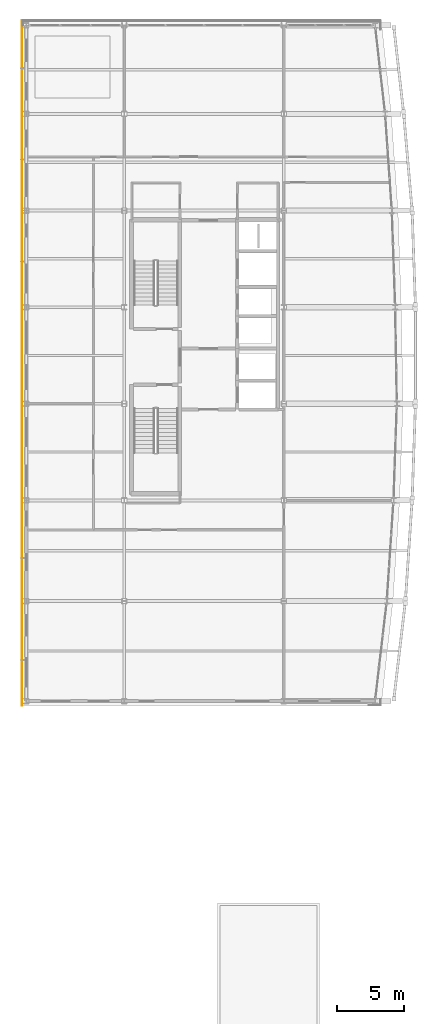
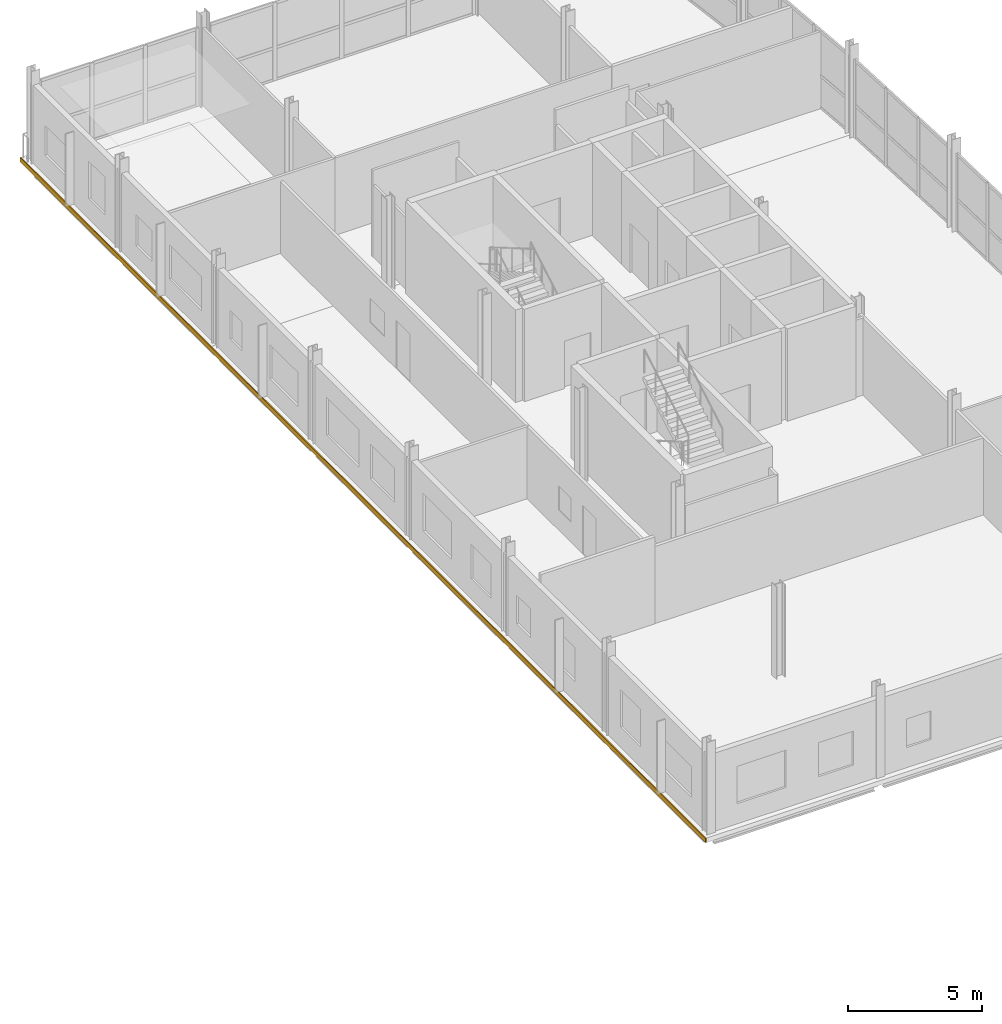
# One storey, part 21 of 23: 1 covering.
"""IFC4 building model written with IfcOpenShell, lengths in metres."""

from ifc_helpers import new_model, si_unit, direction, frame, origin, place, context, subcontext, project, spatial, polyline, outline, extrude, material, layer, layer_set, type_object, element, save


model = new_model("IFC4")

# Units and contexts
model_context = context("Model", 3, precision=1e-05, world=origin(), true_north=direction((0.0, 1.0)))
body_context = subcontext(model_context, "Body", "Model", "MODEL_VIEW")
ifc_project = project(units=[si_unit("LENGTHUNIT", "METRE"), si_unit("AREAUNIT", "SQUARE_METRE"), si_unit("VOLUMEUNIT", "CUBIC_METRE"), si_unit("PLANEANGLEUNIT", "RADIAN"), si_unit("MASSUNIT", "GRAM", prefix="KILO")], contexts=[model_context])

# Site, building, storey
site_placement = place(None, origin())
site = spatial("IfcSite", under=ifc_project, at=site_placement, CompositionType="ELEMENT")
building_placement = place(site_placement, origin())
building = spatial("IfcBuilding", under=site, at=building_placement, Name="Quillay Park Conservatory", CompositionType="ELEMENT")
storey_placement = place(building_placement, frame((0.0, 0.0, 22.5)))
storey = spatial("IfcBuildingStorey", under=building, at=storey_placement, Name="L05", CompositionType="ELEMENT", Elevation=22.5)

# Covering
ifc_material = material(Name="Glass-Fibre Reinforced Concrete (GRC) Cladding", Category="concrete")
ifc_layer = layer(ifc_material, 0.044921875)
ifc_layer_set = layer_set([ifc_layer], Name="GRC SPANDREL CLADDING 45 (Glass-Fibre Reinforced Concrete (GRC) Cladding)")
covering_type = type_object("IfcCoveringType", Name="GRC SPANDREL CLADDING 45", PredefinedType="CLADDING", material=ifc_layer_set)
covering_placement = place(storey_placement, frame((0.0, 0.0, -0.199951171875)))
element("IfcCovering", 1, at=covering_placement, inside=storey, type_object=covering_type, Name="L05 West Folded GRC Spandrel Ribbon", PredefinedType="CLADDING", context=body_context, shape_type="SweptSolid", body=[
    extrude(outline(polyline([(0.205078125, 62.699951171875), (0.25, 62.699951171875), (0.25, 113.800048828125), (0.205078125, 113.800048828125), (0.205078125, 62.699951171875)])), origin(), (0.0, 0.0, 1.0), 0.199951171875),
])

save(model, "model.ifc")
